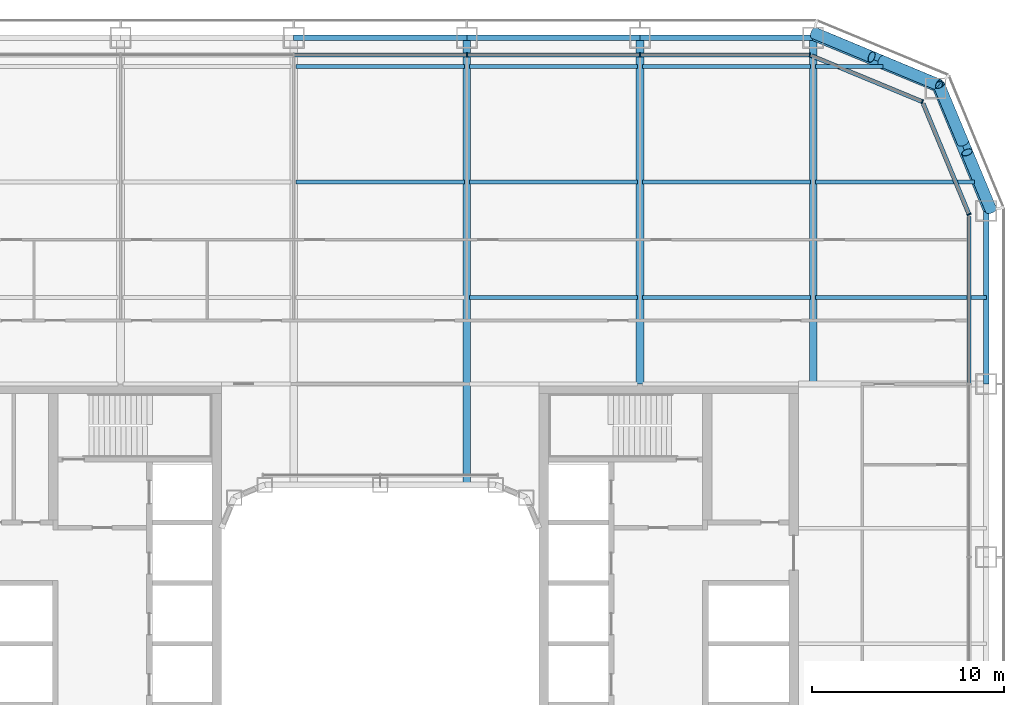
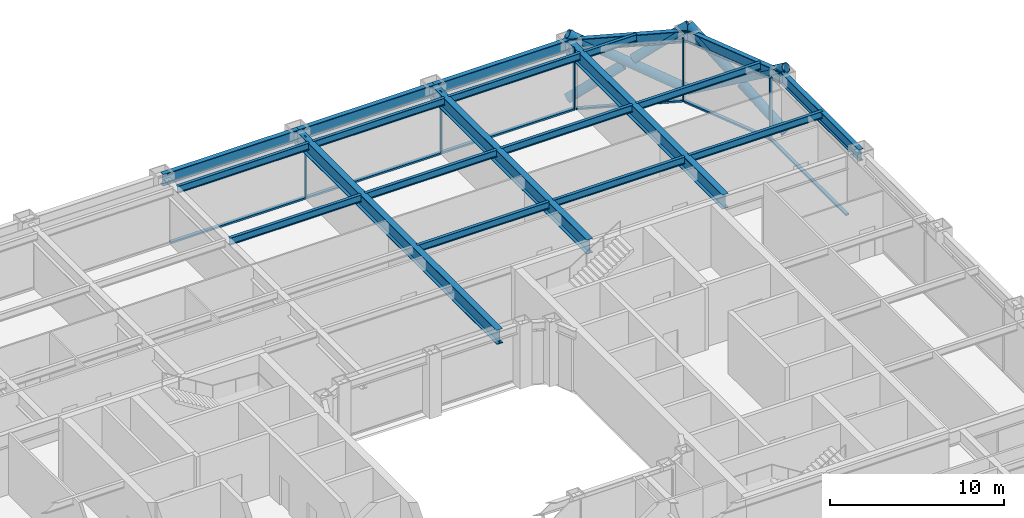
# One storey, part 10 of 24: 20 beams, 17 members, 4 elements without a shape of their own.
"""IFC4 building model written with IfcOpenShell, lengths in metres."""

from ifc_helpers import new_model, si_unit, direction, frame, origin, origin_2d, place, context, subcontext, project, spatial, rectangle, hollow_circle, i_section, extrude, material, layer, layer_set, material_profile, profile_set, type_object, element, aggregate, save


model = new_model("IFC4")

# Units and contexts
model_context = context("Model", 3, precision=1e-05, world=origin(), true_north=direction((0.0, 1.0)))
body_context = subcontext(model_context, "Body", "Model", "MODEL_VIEW")
ifc_project = project(units=[si_unit("LENGTHUNIT", "METRE"), si_unit("AREAUNIT", "SQUARE_METRE"), si_unit("VOLUMEUNIT", "CUBIC_METRE"), si_unit("PLANEANGLEUNIT", "RADIAN"), si_unit("MASSUNIT", "GRAM", prefix="KILO")], contexts=[model_context])

# Site, building, storey
site_placement = place(None, origin())
site = spatial("IfcSite", under=ifc_project, at=site_placement, CompositionType="ELEMENT")
building_placement = place(site_placement, origin())
building = spatial("IfcBuilding", under=site, at=building_placement, Name="Siwar Civic Tower", CompositionType="ELEMENT")
storey_placement = place(building_placement, frame((0.0, 0.0, 40.199951171875)))
storey = spatial("IfcBuildingStorey", under=building, at=storey_placement, Name="L08", CompositionType="ELEMENT", Elevation=40.199951171875)

# Curtain wall, member
ifc_material_1 = material(Name="Aluminium clad insulated panel", Category="aluminium")
ifc_layer_1 = layer(ifc_material_1, 0.219970703125)
ifc_layer_set_1 = layer_set([ifc_layer_1], Name="Aluminium clad insulated panel")
curtain_wall_type_1 = type_object("IfcCurtainWallType", Name="ENV-CW-AX", PredefinedType="NOTDEFINED", material=ifc_layer_set_1)
curtain_wall_1_placement = place(storey_placement, origin())
curtain_wall_1 = element("IfcCurtainWall", 1, at=curtain_wall_1_placement, inside=storey, type_object=curtain_wall_type_1, Name="Curtain wall A NE1", PredefinedType="NOTDEFINED")
ifc_material_2 = material(Name="Aluminium 6063-T6", Category="aluminium")
ifc_material_profile_1 = material_profile(ifc_material_2, rectangle(XDim=0.219970703125, YDim=0.070068359375, at=origin_2d()), Name="AL 220x70")
ifc_profile_set_1 = profile_set([ifc_material_profile_1], Name="Aluminium 6063-T6")
member_type_1 = type_object("IfcMemberType", Name="ENV-MULLION-A", PredefinedType="MULLION", material=ifc_profile_set_1)
member_1_placement = place(storey_placement, frame((30.60009765625, 22.321044921875, 0.0), z_axis=(0.0, 0.0, 1.0), x_axis=(-0.923879532511, -0.382683432365, 0.0)))
member_1 = element("IfcMember", 2, at=member_1_placement, type_object=member_type_1, Name="Mullion A NE1 1", PredefinedType="MULLION", context=body_context, shape_type="SweptSolid", body=[
    extrude(rectangle(XDim=0.219970703125, YDim=0.070068359375, at=origin_2d()), origin(), (0.0, 0.0, 1.0), 4.35009765625),
])

curtain_wall_2_placement = place(storey_placement, origin())
curtain_wall_2 = element("IfcCurtainWall", 3, at=curtain_wall_2_placement, inside=storey, type_object=curtain_wall_type_1, Name="Curtain wall A NE2", PredefinedType="NOTDEFINED")
member_2_placement = place(storey_placement, frame((28.175048828125, 28.175048828125, 0.0), z_axis=(0.0, 0.0, 1.0), x_axis=(-0.382683432365, -0.923879532511, 0.0)))
member_2 = element("IfcMember", 4, at=member_2_placement, type_object=member_type_1, Name="Mullion A NE2 1", PredefinedType="MULLION", context=body_context, shape_type="SweptSolid", body=[
    extrude(rectangle(XDim=0.219970703125, YDim=0.070068359375, at=origin_2d()), origin(), (0.0, 0.0, 1.0), 4.35009765625),
])

# Curtain wall, members
ifc_material_3 = material(Name="Aluminium and glass", Category="aluminium")
ifc_layer_2 = layer(ifc_material_3, 0.219970703125)
ifc_layer_set_2 = layer_set([ifc_layer_2], Name="Aluminium and glass")
curtain_wall_type_2 = type_object("IfcCurtainWallType", Name="ENV-CW-A", PredefinedType="NOTDEFINED", material=ifc_layer_set_2)
curtain_wall_3_placement = place(storey_placement, origin())
curtain_wall_3 = element("IfcCurtainWall", 5, at=curtain_wall_3_placement, inside=storey, type_object=curtain_wall_type_2, Name="Curtain wall A N", PredefinedType="NOTDEFINED")
member_3_placement = place(storey_placement, frame((22.321044921875, 30.60009765625, 0.0), z_axis=(0.0, 0.0, 1.0), x_axis=(0.0, -1.0, 0.0)))
member_3 = element("IfcMember", 6, at=member_3_placement, type_object=member_type_1, Name="Mullion A N 1", PredefinedType="MULLION", context=body_context, shape_type="SweptSolid", body=[
    extrude(rectangle(XDim=0.219970703125, YDim=0.070068359375, at=origin_2d()), origin(), (0.0, 0.0, 1.0), 4.35009765625),
])
member_4_placement = place(storey_placement, frame((13.5, 30.60009765625, 0.0), z_axis=(0.0, 0.0, 1.0), x_axis=(0.0, -1.0, 0.0)))
member_4 = element("IfcMember", 7, at=member_4_placement, type_object=member_type_1, Name="Mullion A N 2", PredefinedType="MULLION", context=body_context, shape_type="SweptSolid", body=[
    extrude(rectangle(XDim=0.219970703125, YDim=0.070068359375, at=origin_2d()), origin(), (0.0, 0.0, 1.0), 4.35009765625),
])
member_5_placement = place(storey_placement, frame((4.5, 30.60009765625, 0.0), z_axis=(0.0, 0.0, 1.0), x_axis=(0.0, -1.0, 0.0)))
member_5 = element("IfcMember", 8, at=member_5_placement, type_object=member_type_1, Name="Mullion A N 3", PredefinedType="MULLION", context=body_context, shape_type="SweptSolid", body=[
    extrude(rectangle(XDim=0.219970703125, YDim=0.070068359375, at=origin_2d()), origin(), (0.0, 0.0, 1.0), 4.35009765625),
])

# Curtain wall, member
curtain_wall_4_placement = place(storey_placement, origin())
curtain_wall_4 = element("IfcCurtainWall", 9, at=curtain_wall_4_placement, inside=storey, type_object=curtain_wall_type_2, Name="Curtain wall A E", PredefinedType="NOTDEFINED")
ifc_material_4 = material(Name="Aluminium 6063-T6", Category="aluminium")
ifc_material_profile_2 = material_profile(ifc_material_4, rectangle(XDim=0.219970703125, YDim=0.1201171875, at=origin_2d()), Name="AL 220x120")
ifc_profile_set_2 = profile_set([ifc_material_profile_2], Name="Aluminium 6063-T6")
member_type_2 = type_object("IfcMemberType", Name="ENV-TRANSOM-A", PredefinedType="USERDEFINED", material=ifc_profile_set_2)
member_6_placement = place(storey_placement, frame((30.60009765625, 13.534912109375, 0.06005859375), z_axis=(0.0, 1.0, 0.0), x_axis=(-1.0, 0.0, 0.0)))
member_6 = element("IfcMember", 10, at=member_6_placement, type_object=member_type_2, Name="Transom A E 5", ObjectType="TRANSOM", PredefinedType="USERDEFINED", context=body_context, shape_type="SweptSolid", body=[
    extrude(rectangle(XDim=0.219970703125, YDim=0.1201171875, at=origin_2d()), origin(), (0.0, 0.0, 1.0), 8.66357421875),
])
aggregate(curtain_wall_4, [member_6])

# Member
member_7_placement = place(storey_placement, frame((30.586669921875, 22.353271484375, 0.06005859375), z_axis=(-0.382698415042, 0.923873326341, 0.0), x_axis=(-0.923873326341, -0.382698415042, 0.0)))
member_7 = element("IfcMember", 11, at=member_7_placement, type_object=member_type_2, Name="Transom A NE1 1", ObjectType="TRANSOM", PredefinedType="USERDEFINED", context=body_context, shape_type="SweptSolid", body=[
    extrude(rectangle(XDim=0.219970703125, YDim=0.1201171875, at=origin_2d()), origin(), (0.0, 0.0, 1.0), 6.17919921875),
])

aggregate(curtain_wall_1, [member_1, member_7])

member_8_placement = place(storey_placement, frame((28.142822265625, 28.1884765625, 0.06005859375), z_axis=(-0.923873326341, 0.382698415042, 0.0), x_axis=(-0.382698415042, -0.923873326341, 0.0)))
member_8 = element("IfcMember", 12, at=member_8_placement, type_object=member_type_2, Name="Transom A NE2 1", ObjectType="TRANSOM", PredefinedType="USERDEFINED", context=body_context, shape_type="SweptSolid", body=[
    extrude(rectangle(XDim=0.219970703125, YDim=0.1201171875, at=origin_2d()), origin(), (0.0, 0.0, 1.0), 6.17919921875),
])

aggregate(curtain_wall_2, [member_2, member_8])

member_9_placement = place(storey_placement, frame((22.285888671875, 30.60009765625, 0.06005859375), z_axis=(-1.0, 0.0, 0.0), x_axis=(0.0, -1.0, 0.0)))
member_9 = element("IfcMember", 13, at=member_9_placement, type_object=member_type_2, Name="Transom A N 1", ObjectType="TRANSOM", PredefinedType="USERDEFINED", context=body_context, shape_type="SweptSolid", body=[
    extrude(rectangle(XDim=0.219970703125, YDim=0.1201171875, at=origin_2d()), origin(), (0.0, 0.0, 1.0), 8.7509765625),
])

member_10_placement = place(storey_placement, frame((13.465087890625, 30.60009765625, 0.06005859375), z_axis=(-1.0, 0.0, 0.0), x_axis=(0.0, -1.0, 0.0)))
member_10 = element("IfcMember", 14, at=member_10_placement, type_object=member_type_2, Name="Transom A N 2", ObjectType="TRANSOM", PredefinedType="USERDEFINED", context=body_context, shape_type="SweptSolid", body=[
    extrude(rectangle(XDim=0.219970703125, YDim=0.1201171875, at=origin_2d()), origin(), (0.0, 0.0, 1.0), 8.93017578125),
])

member_11_placement = place(storey_placement, frame((4.465087890625, 30.60009765625, 0.06005859375), z_axis=(-1.0, 0.0, 0.0), x_axis=(0.0, -1.0, 0.0)))
member_11 = element("IfcMember", 15, at=member_11_placement, type_object=member_type_2, Name="Transom A N 3", ObjectType="TRANSOM", PredefinedType="USERDEFINED", context=body_context, shape_type="SweptSolid", body=[
    extrude(rectangle(XDim=0.219970703125, YDim=0.1201171875, at=origin_2d()), origin(), (0.0, 0.0, 1.0), 8.93017578125),
])

aggregate(curtain_wall_3, [member_3, member_4, member_5, member_9, member_10, member_11])

# Members
ifc_material_5 = material(Name="Steel S355", Category="steel")
ifc_material_profile_3 = material_profile(ifc_material_5, hollow_circle(Radius=0.304931640625, WallThickness=0.030029296875, at=origin_2d()), Name="CHS610x30")
ifc_profile_set_3 = profile_set([ifc_material_profile_3], Name="Steel S355")
member_type_3 = type_object("IfcMemberType", Name="STR-BR-CHS610x30", PredefinedType="BRACE", material=ifc_profile_set_3)
member_12_placement = place(storey_placement, frame((29.040771484375, 29.040771484375, 0.0), z_axis=(-0.777554562952, 0.323905527954, 0.538975055633), x_axis=(-0.384538969033, -0.923108759191, 0.0)))
element("IfcMember", 16, at=member_12_placement, inside=storey, type_object=member_type_3, Name="L08/brc/ANE1-7-0-1", PredefinedType="BRACE", context=body_context, shape_type="SweptSolid", body=[
    extrude(hollow_circle(Radius=0.304931640625, WallThickness=0.030029296875, at=origin_2d()), origin(), (0.0, 0.0, 1.0), 8.34912109375),
])
member_13_placement = place(storey_placement, frame((22.548828125, 31.7451171875, 0.0), z_axis=(0.777533059308, -0.323882123145, 0.539020140617), x_axis=(0.384524353215, 0.923114847559, 0.0)))
element("IfcMember", 17, at=member_13_placement, inside=storey, type_object=member_type_3, Name="L08/brc/ANE1-7-0-2", PredefinedType="BRACE", context=body_context, shape_type="SweptSolid", body=[
    extrude(hollow_circle(Radius=0.304931640625, WallThickness=0.030029296875, at=origin_2d()), origin(), (0.0, 0.0, 1.0), 3.843505859375),
])
member_14_placement = place(storey_placement, frame((26.052001953125, 30.285888671875, 2.428466796875), z_axis=(0.777568797048, -0.323934068367, 0.538937366685), x_axis=(0.384561842466, 0.923099230484, 0.0)))
element("IfcMember", 18, at=member_14_placement, inside=storey, type_object=member_type_3, Name="L08/brc/ANE1-7-0-3", PredefinedType="BRACE", context=body_context, shape_type="SweptSolid", body=[
    extrude(hollow_circle(Radius=0.304931640625, WallThickness=0.030029296875, at=origin_2d()), origin(), (0.0, 0.0, 1.0), 3.84375),
])
member_15_placement = place(storey_placement, frame((29.040771484375, 29.040771484375, 0.0), z_axis=(0.323905527954, -0.777554562952, 0.538975055633), x_axis=(0.923108759191, 0.384538969033, 0.0)))
element("IfcMember", 19, at=member_15_placement, inside=storey, type_object=member_type_3, Name="L08/brc/ANE1-7-0-0", PredefinedType="BRACE", context=body_context, shape_type="SweptSolid", body=[
    extrude(hollow_circle(Radius=0.304931640625, WallThickness=0.030029296875, at=origin_2d()), origin(), (0.0, 0.0, 1.0), 8.34912109375),
])
member_16_placement = place(storey_placement, frame((31.7451171875, 22.548828125, 0.0), z_axis=(-0.323882123145, 0.777533059308, 0.539020140617), x_axis=(-0.923114847559, -0.384524353215, 0.0)))
element("IfcMember", 20, at=member_16_placement, inside=storey, type_object=member_type_3, Name="L08/brc/ANE1-7-0-4", PredefinedType="BRACE", context=body_context, shape_type="SweptSolid", body=[
    extrude(hollow_circle(Radius=0.304931640625, WallThickness=0.030029296875, at=origin_2d()), origin(), (0.0, 0.0, 1.0), 3.843505859375),
])
member_17_placement = place(storey_placement, frame((30.285888671875, 26.052001953125, 2.428466796875), z_axis=(-0.323934068367, 0.777568797048, 0.538937366685), x_axis=(-0.923099230484, -0.384561842466, 0.0)))
element("IfcMember", 21, at=member_17_placement, inside=storey, type_object=member_type_3, Name="L08/brc/ANE1-7-0-5", PredefinedType="BRACE", context=body_context, shape_type="SweptSolid", body=[
    extrude(hollow_circle(Radius=0.304931640625, WallThickness=0.030029296875, at=origin_2d()), origin(), (0.0, 0.0, 1.0), 3.84375),
])

# Beams
ifc_material_6 = material(Name="Steel S355", Category="steel")
ifc_material_profile_4 = material_profile(ifc_material_6, i_section(OverallWidth=0.199951171875, OverallDepth=0.5, WebThickness=0.01025390625, FlangeThickness=0.01611328125, FilletRadius=0.02099609375, at=origin_2d()), Name="IPE500")
ifc_profile_set_4 = profile_set([ifc_material_profile_4], Name="Steel S355")
beam_type_1 = type_object("IfcBeamType", Name="STR-FB-IPE500", PredefinedType="JOIST", material=ifc_profile_set_4)
for number, where, z_axis, x_axis, name in (
    (22, (4.6298828125, 18.0, 4.10009765625), (1.0, 0.0, 0.0), (0.0, 1.0, 0.0), "L08/bm/F050"),
    (23, (13.6298828125, 18.0, 4.10009765625), (1.0, 0.0, 0.0), (0.0, 1.0, 0.0), "L08/bm/F051"),
):
    element("IfcBeam", number, at=place(storey_placement, frame(where, z_axis=z_axis, x_axis=x_axis)), inside=storey, type_object=beam_type_1, Name=name, PredefinedType="JOIST", context=body_context, shape_type="SweptSolid", body=[
        extrude(i_section(OverallWidth=0.199951171875, OverallDepth=0.5, WebThickness=0.01025390625, FlangeThickness=0.01611328125, FilletRadius=0.02099609375, at=origin_2d()), origin(), (0.0, 0.0, 1.0), 8.740234375),
    ])
beam_1_placement = place(storey_placement, frame((22.6298828125, 18.0, 4.10009765625), z_axis=(1.0, 0.0, 0.0), x_axis=(0.0, 1.0, 0.0)))
element("IfcBeam", 24, at=beam_1_placement, inside=storey, type_object=beam_type_1, Name="L08/bm/F052", PredefinedType="JOIST", context=body_context, shape_type="SweptSolid", body=[
    extrude(i_section(OverallWidth=0.199951171875, OverallDepth=0.5, WebThickness=0.01025390625, FlangeThickness=0.01611328125, FilletRadius=0.02099609375, at=origin_2d()), origin(), (0.0, 0.0, 1.0), 8.8701171875),
])
for number, where, z_axis, x_axis, name in (
    (25, (-4.3701171875, 24.0, 4.10009765625), (1.0, 0.0, 0.0), (0.0, 1.0, 0.0), "L08/bm/F056"),
    (26, (4.6298828125, 24.0, 4.10009765625), (1.0, 0.0, 0.0), (0.0, 1.0, 0.0), "L08/bm/F057"),
    (27, (13.6298828125, 24.0, 4.10009765625), (1.0, 0.0, 0.0), (0.0, 1.0, 0.0), "L08/bm/F058"),
):
    element("IfcBeam", number, at=place(storey_placement, frame(where, z_axis=z_axis, x_axis=x_axis)), inside=storey, type_object=beam_type_1, Name=name, PredefinedType="JOIST", context=body_context, shape_type="SweptSolid", body=[
        extrude(i_section(OverallWidth=0.199951171875, OverallDepth=0.5, WebThickness=0.01025390625, FlangeThickness=0.01611328125, FilletRadius=0.02099609375, at=origin_2d()), origin(), (0.0, 0.0, 1.0), 8.740234375),
    ])
beam_2_placement = place(storey_placement, frame((22.6298828125, 24.0, 4.10009765625), z_axis=(1.0, 0.0, 0.0), x_axis=(0.0, 1.0, 0.0)))
element("IfcBeam", 28, at=beam_2_placement, inside=storey, type_object=beam_type_1, Name="L08/bm/F059", PredefinedType="JOIST", context=body_context, shape_type="SweptSolid", body=[
    extrude(i_section(OverallWidth=0.199951171875, OverallDepth=0.5, WebThickness=0.01025390625, FlangeThickness=0.01611328125, FilletRadius=0.02099609375, at=origin_2d()), origin(), (0.0, 0.0, 1.0), 8.248779296875),
])
for number, where, z_axis, x_axis, name in (
    (29, (-4.3701171875, 30.0, 4.10009765625), (1.0, 0.0, 0.0), (0.0, 1.0, 0.0), "L08/bm/F063"),
    (30, (4.6298828125, 30.0, 4.10009765625), (1.0, 0.0, 0.0), (0.0, 1.0, 0.0), "L08/bm/F064"),
    (31, (13.6298828125, 30.0, 4.10009765625), (1.0, 0.0, 0.0), (0.0, 1.0, 0.0), "L08/bm/F065"),
):
    element("IfcBeam", number, at=place(storey_placement, frame(where, z_axis=z_axis, x_axis=x_axis)), inside=storey, type_object=beam_type_1, Name=name, PredefinedType="JOIST", context=body_context, shape_type="SweptSolid", body=[
        extrude(i_section(OverallWidth=0.199951171875, OverallDepth=0.5, WebThickness=0.01025390625, FlangeThickness=0.01611328125, FilletRadius=0.02099609375, at=origin_2d()), origin(), (0.0, 0.0, 1.0), 8.740234375),
    ])
beam_3_placement = place(storey_placement, frame((22.6298828125, 30.0, 4.10009765625), z_axis=(1.0, 0.0, 0.0), x_axis=(0.0, 1.0, 0.0)))
element("IfcBeam", 32, at=beam_3_placement, inside=storey, type_object=beam_type_1, Name="L08/bm/F066", PredefinedType="JOIST", context=body_context, shape_type="SweptSolid", body=[
    extrude(i_section(OverallWidth=0.199951171875, OverallDepth=0.5, WebThickness=0.01025390625, FlangeThickness=0.01611328125, FilletRadius=0.02099609375, at=origin_2d()), origin(), (0.0, 0.0, 1.0), 3.491455078125),
])
ifc_material_7 = material(Name="Steel S355", Category="steel")
ifc_material_profile_5 = material_profile(ifc_material_7, i_section(OverallWidth=0.39990234375, OverallDepth=1.0, WebThickness=0.01611328125, FlangeThickness=0.0400390625, at=origin_2d()), Name="PG1000x400x16x40")
ifc_profile_set_5 = profile_set([ifc_material_profile_5], Name="Steel S355")
beam_type_2 = type_object("IfcBeamType", Name="STR-PG-PG1000x400x16x40", PredefinedType="BEAM", material=ifc_profile_set_5)
beam_4_placement = place(storey_placement, frame((4.5, 8.25, 3.85009765625), z_axis=(0.0, 1.0, 0.0), x_axis=(-1.0, 0.0, 0.0)))
element("IfcBeam", 33, at=beam_4_placement, inside=storey, type_object=beam_type_2, Name="L08/bm/G08", PredefinedType="BEAM", context=body_context, shape_type="SweptSolid", body=[
    extrude(i_section(OverallWidth=0.39990234375, OverallDepth=1.0, WebThickness=0.01611328125, FlangeThickness=0.0400390625, at=origin_2d()), origin(), (0.0, 0.0, 1.0), 23.25),
])
for number, where, z_axis, x_axis, name in (
    (34, (13.5, 13.5, 3.85009765625), (0.0, 1.0, 0.0), (-1.0, 0.0, 0.0), "L08/bm/G10"),
    (35, (22.5, 13.5, 3.85009765625), (0.0, 1.0, 0.0), (-1.0, 0.0, 0.0), "L08/bm/G12"),
):
    element("IfcBeam", number, at=place(storey_placement, frame(where, z_axis=z_axis, x_axis=x_axis)), inside=storey, type_object=beam_type_2, Name=name, PredefinedType="BEAM", context=body_context, shape_type="SweptSolid", body=[
        extrude(i_section(OverallWidth=0.39990234375, OverallDepth=1.0, WebThickness=0.01611328125, FlangeThickness=0.0400390625, at=origin_2d()), origin(), (0.0, 0.0, 1.0), 18.0),
    ])
ifc_material_8 = material(Name="Steel S355", Category="steel")
ifc_material_profile_6 = material_profile(ifc_material_8, i_section(OverallWidth=0.302978515625, OverallDepth=0.81396484375, WebThickness=0.02099609375, FlangeThickness=0.0400390625, FilletRadius=0.030029296875, at=origin_2d()), Name="HEM800")
ifc_profile_set_6 = profile_set([ifc_material_profile_6], Name="Steel S355")
beam_type_3 = type_object("IfcBeamType", Name="STR-SB-HEM800", PredefinedType="BEAM", material=ifc_profile_set_6)
beam_5_placement = place(storey_placement, frame((31.5, 13.5, 3.943115234375), z_axis=(0.0, 1.0, 0.0), x_axis=(-1.0, 0.0, 0.0)))
element("IfcBeam", 36, at=beam_5_placement, inside=storey, type_object=beam_type_3, Name="L08/bm/SE-4", PredefinedType="BEAM", context=body_context, shape_type="SweptSolid", body=[
    extrude(i_section(OverallWidth=0.302978515625, OverallDepth=0.81396484375, WebThickness=0.02099609375, FlangeThickness=0.0400390625, FilletRadius=0.030029296875, at=origin_2d()), origin(), (0.0, 0.0, 1.0), 9.0),
])
for number, where, z_axis, x_axis, name in (
    (37, (31.5, 22.5, 3.943115234375), (-0.382674207535, 0.923883353507, 0.0), (-0.923883353507, -0.382674207535, 0.0), "L08/bm/SNE1-0"),
    (38, (28.864013671875, 28.864013671875, 3.943115234375), (-0.923883353507, 0.382674207535, 0.0), (-0.382674207535, -0.923883353507, 0.0), "L08/bm/SNE2-0"),
):
    element("IfcBeam", number, at=place(storey_placement, frame(where, z_axis=z_axis, x_axis=x_axis)), inside=storey, type_object=beam_type_3, Name=name, PredefinedType="BEAM", context=body_context, shape_type="SweptSolid", body=[
        extrude(i_section(OverallWidth=0.302978515625, OverallDepth=0.81396484375, WebThickness=0.02099609375, FlangeThickness=0.0400390625, FilletRadius=0.030029296875, at=origin_2d()), origin(), (0.0, 0.0, 1.0), 6.888427734375),
    ])
for number, where, z_axis, x_axis, name in (
    (39, (22.5, 31.5, 3.943115234375), (-1.0, 0.0, 0.0), (0.0, -1.0, 0.0), "L08/bm/SN-0"),
    (40, (13.5, 31.5, 3.943115234375), (-1.0, 0.0, 0.0), (0.0, -1.0, 0.0), "L08/bm/SN-1"),
    (41, (4.5, 31.5, 3.943115234375), (-1.0, 0.0, 0.0), (0.0, -1.0, 0.0), "L08/bm/SN-2"),
):
    element("IfcBeam", number, at=place(storey_placement, frame(where, z_axis=z_axis, x_axis=x_axis)), inside=storey, type_object=beam_type_3, Name=name, PredefinedType="BEAM", context=body_context, shape_type="SweptSolid", body=[
        extrude(i_section(OverallWidth=0.302978515625, OverallDepth=0.81396484375, WebThickness=0.02099609375, FlangeThickness=0.0400390625, FilletRadius=0.030029296875, at=origin_2d()), origin(), (0.0, 0.0, 1.0), 9.0),
    ])

save(model, "model.ifc")
